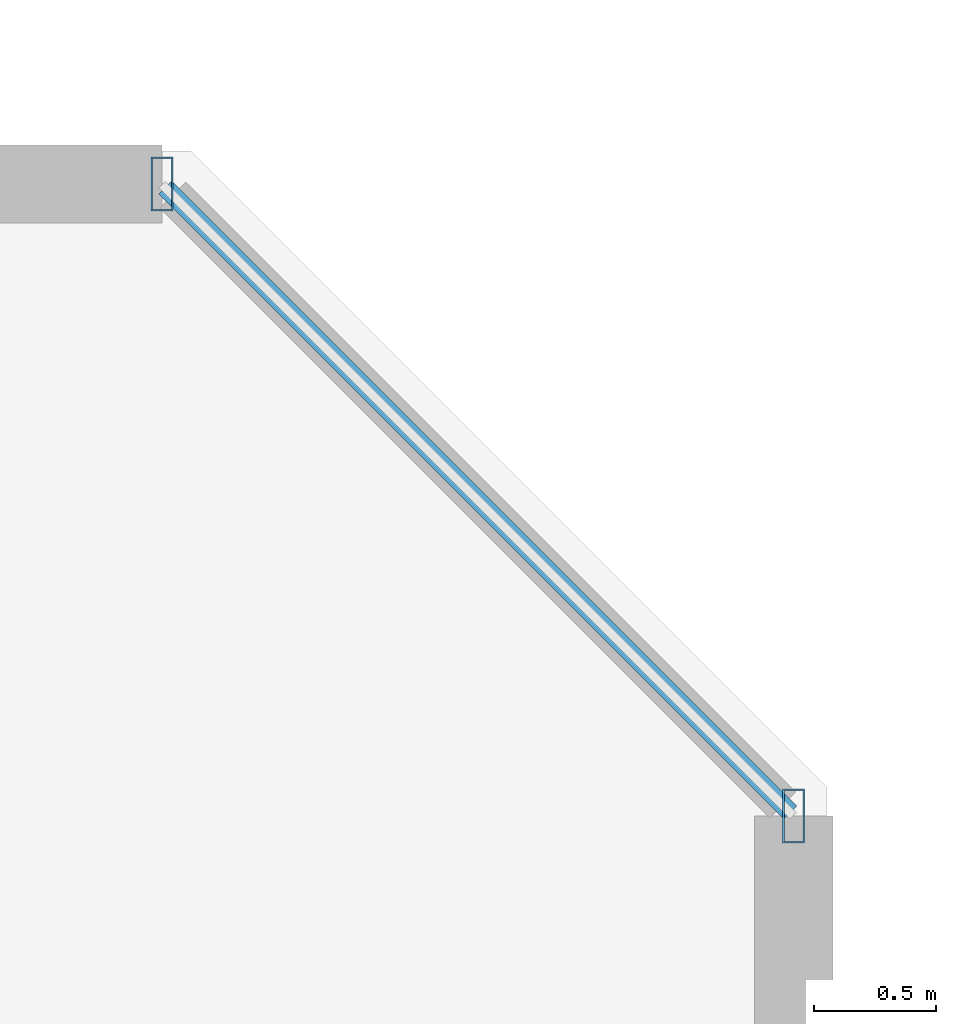
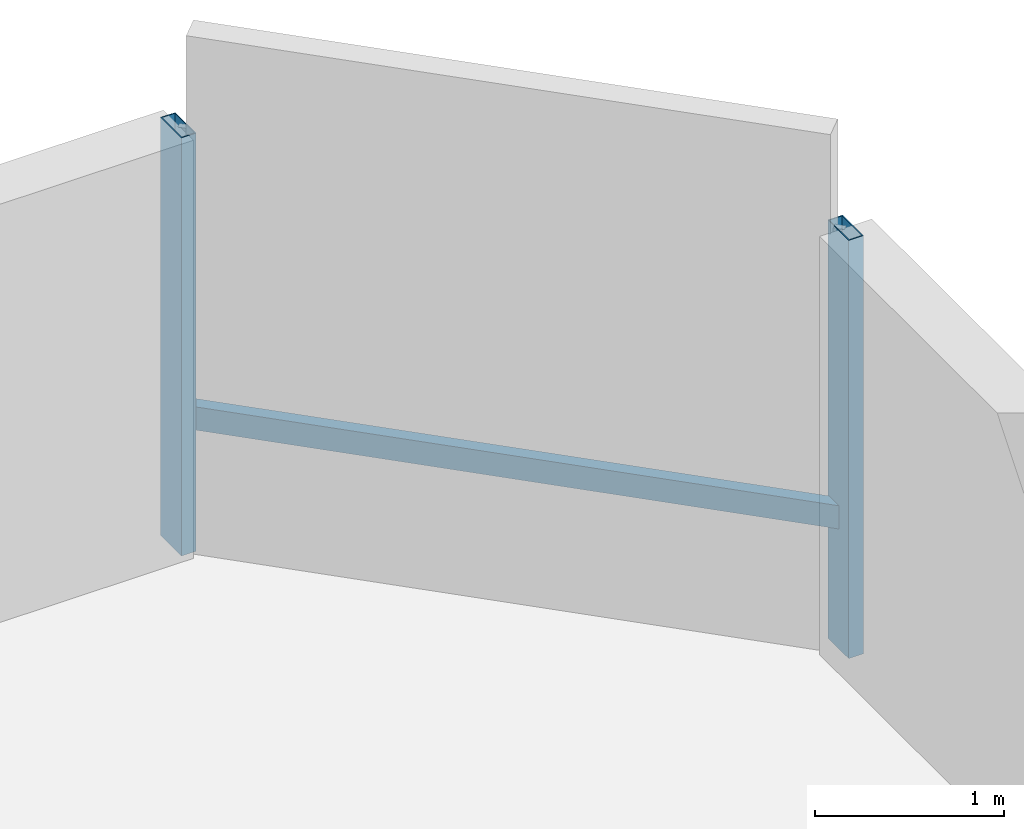
# One storey, part 18 of 34: 3 members, 1 element without a shape of its own.
"""IFC4 building model written with IfcOpenShell, lengths in metres."""

from ifc_helpers import new_model, si_unit, direction, frame, origin, origin_2d, place, context, subcontext, project, spatial, hollow_rectangle, extrude, material, material_profile, profile_set, type_object, element, aggregate, save


model = new_model("IFC4")

# Units and contexts
model_context = context("Model", 3, precision=1e-05, world=origin(), true_north=direction((0.0, 1.0)))
body_context = subcontext(model_context, "Body", "Model", "MODEL_VIEW")
ifc_project = project(units=[si_unit("LENGTHUNIT", "METRE"), si_unit("AREAUNIT", "SQUARE_METRE"), si_unit("VOLUMEUNIT", "CUBIC_METRE"), si_unit("PLANEANGLEUNIT", "RADIAN"), si_unit("MASSUNIT", "GRAM", prefix="KILO")], contexts=[model_context])

# Site, building, storey
site_placement = place(None, origin())
site = spatial("IfcSite", under=ifc_project, at=site_placement, CompositionType="ELEMENT")
building_placement = place(site_placement, origin())
building = spatial("IfcBuilding", under=site, at=building_placement, Name="Thornwick Lancets Civic Towers", CompositionType="ELEMENT")
storey_placement = place(building_placement, frame((0.0, 0.0, 53.699951171875)))
storey = spatial("IfcBuildingStorey", under=building, at=storey_placement, Name="L13", CompositionType="ELEMENT", Elevation=53.699951171875)

# Curtain wall, members
ifc_material_1 = material(Name="Low-zone chamfered-corner unitised glass curtain wall", Category="glass")
curtain_wall_type = type_object("IfcCurtainWallType", Name="CW_SYS_03", PredefinedType="NOTDEFINED", material=ifc_material_1)
curtain_wall_placement = place(storey_placement, origin())
curtain_wall = element("IfcCurtainWall", 1, at=curtain_wall_placement, inside=storey, type_object=curtain_wall_type, Name="L13 Curtain Wall CW-L13-B-E3", PredefinedType="NOTDEFINED")
ifc_material_2 = material(Name="Thermally broken bronze aluminium S355", Category="steel")
ifc_material_profile_1 = material_profile(ifc_material_2, hollow_rectangle(XDim=0.090087890625, YDim=0.219970703125, WallThickness=0.00634765625, at=origin_2d()), Name="RHS 220x90x6.3")
ifc_profile_set_1 = profile_set([ifc_material_profile_1], Name="Thermally broken bronze aluminium S355")
member_type_1 = type_object("IfcMemberType", Name="CW_MUL_220", PredefinedType="MULLION", material=ifc_profile_set_1)
member_1_placement = place(storey_placement, frame((112.764892578125, 48.68115234375, 0.0), z_axis=(0.0, 0.0, 1.0), x_axis=(1.0, 0.0, 0.0)))
member_1 = element("IfcMember", 2, at=member_1_placement, type_object=member_type_1, Name="CW-L13-B-E3 Mullion 0", PredefinedType="MULLION", context=body_context, shape_type="SweptSolid", body=[
    extrude(hollow_rectangle(XDim=0.090087890625, YDim=0.219970703125, WallThickness=0.00634765625, at=origin_2d()), origin(), (0.0, 0.0, 1.0), 2.699951171875),
])
member_2_placement = place(storey_placement, frame((110.18115234375, 51.264892578125, 0.0), z_axis=(0.0, 0.0, 1.0), x_axis=(1.0, 0.0, 0.0)))
member_2 = element("IfcMember", 3, at=member_2_placement, type_object=member_type_1, Name="CW-L13-B-E3 Mullion 1", PredefinedType="MULLION", context=body_context, shape_type="SweptSolid", body=[
    extrude(hollow_rectangle(XDim=0.090087890625, YDim=0.219970703125, WallThickness=0.00634765625, at=origin_2d()), origin(), (0.0, 0.0, 1.0), 2.699951171875),
])
ifc_material_profile_2 = material_profile(ifc_material_2, hollow_rectangle(XDim=0.074951171875, YDim=0.14990234375, WallThickness=0.0048828125, at=origin_2d()), Name="RHS 150x75x5")
ifc_profile_set_2 = profile_set([ifc_material_profile_2], Name="Thermally broken bronze aluminium S355")
member_type_2 = type_object("IfcMemberType", Name="CW_TRN_150", PredefinedType="USERDEFINED", material=ifc_profile_set_2)
member_3_placement = place(storey_placement, frame((112.750732421875, 48.6953125, 0.85009765625), z_axis=(-0.707106781187, 0.707106781187, 0.0), x_axis=(-0.707106781187, -0.707106781187, 0.0)))
member_3 = element("IfcMember", 4, at=member_3_placement, type_object=member_type_2, Name="CW-L13-B-E3 Transom 0", ObjectType="TRANSOM", PredefinedType="USERDEFINED", context=body_context, shape_type="SweptSolid", body=[
    extrude(hollow_rectangle(XDim=0.074951171875, YDim=0.14990234375, WallThickness=0.0048828125, at=origin_2d()), origin(), (0.0, 0.0, 1.0), 3.614013671875),
])
aggregate(curtain_wall, [member_1, member_2, member_3])

save(model, "model.ifc")
